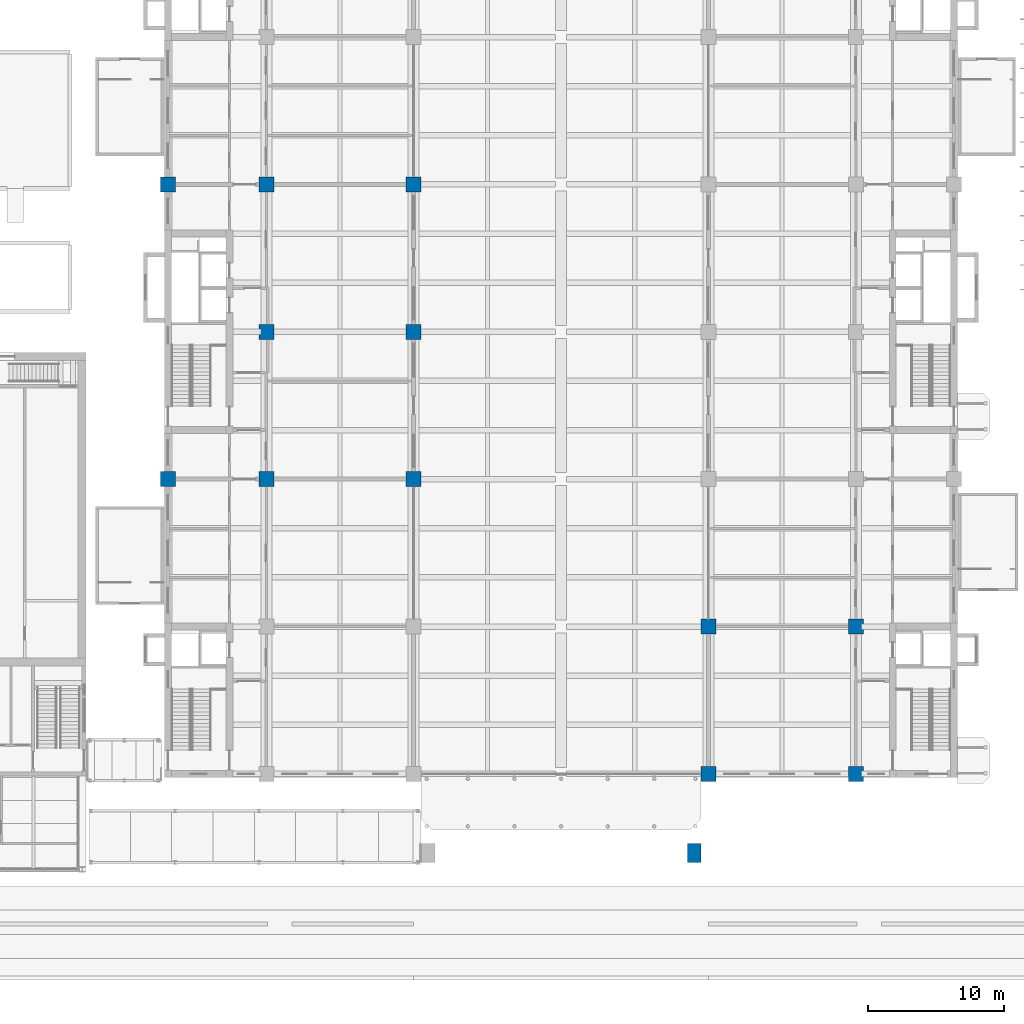
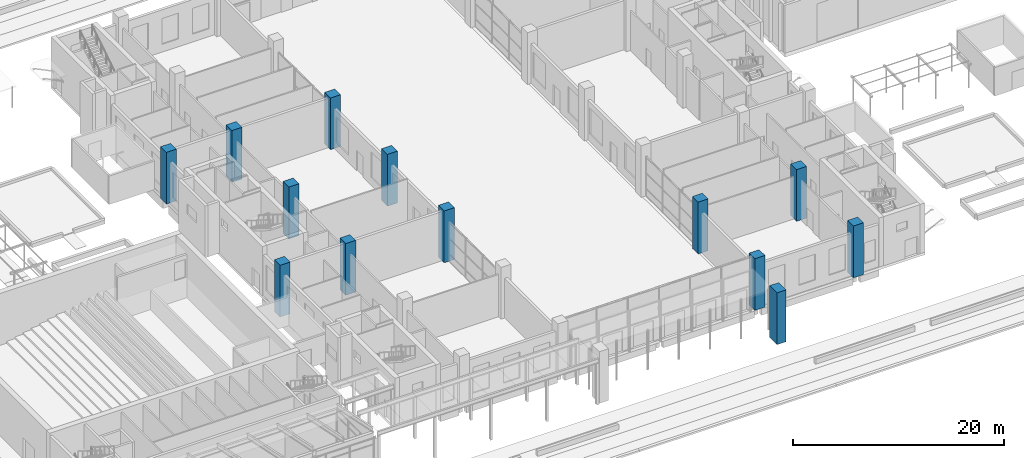
# One storey, part 3 of 71: 13 columns.
"""IFC4 building model written with IfcOpenShell, lengths in metres."""

from ifc_helpers import new_model, si_unit, direction, frame, origin, origin_2d, place, context, subcontext, project, spatial, rectangle, extrude, material, material_profile, profile_set, type_object, element, save


model = new_model("IFC4")

# Units and contexts
model_context = context("Model", 3, precision=1e-05, world=origin(), true_north=direction((0.0, 1.0)))
body_context = subcontext(model_context, "Body", "Model", "MODEL_VIEW")
ifc_project = project(units=[si_unit("LENGTHUNIT", "METRE"), si_unit("AREAUNIT", "SQUARE_METRE"), si_unit("VOLUMEUNIT", "CUBIC_METRE"), si_unit("PLANEANGLEUNIT", "RADIAN"), si_unit("MASSUNIT", "GRAM", prefix="KILO")], contexts=[model_context])

# Site, building, storey
site_placement = place(None, origin())
site = spatial("IfcSite", under=ifc_project, at=site_placement, CompositionType="ELEMENT")
building_placement = place(site_placement, origin())
building = spatial("IfcBuilding", under=site, at=building_placement, Name="Basin Gate Institute", CompositionType="ELEMENT")
storey_placement = place(building_placement, origin())
storey = spatial("IfcBuildingStorey", under=building, at=storey_placement, Name="L00", CompositionType="ELEMENT", Elevation=0.0)

# Columns
ifc_material_1 = material(Name="Concrete 60 MPa", Category="concrete")
ifc_material_profile_1 = material_profile(ifc_material_1, rectangle(XDim=1.10009765625, YDim=1.10009765625, at=origin_2d()), Name="Column C1 1100 x 1100")
ifc_profile_set_1 = profile_set([ifc_material_profile_1], Name="Concrete 60 MPa")
column_type_1 = type_object("IfcColumnType", Name="Column C1 R180", PredefinedType="COLUMN", material=ifc_profile_set_1)
for number, where, z_axis, x_axis, name in (
    (1, (61.199951171875, 56.699951171875, 0.0), (0.0, 0.0, 1.0), (1.0, 0.0, 0.0), "COL/L00/4C"),
    (2, (61.199951171875, 78.300048828125, 0.0), (0.0, 0.0, 1.0), (1.0, 0.0, 0.0), "COL/L00/4E"),
    (3, (68.39990234375, 56.699951171875, 0.0), (0.0, 0.0, 1.0), (1.0, 0.0, 0.0), "COL/L00/5C"),
    (4, (68.39990234375, 67.5, 0.0), (0.0, 0.0, 1.0), (1.0, 0.0, 0.0), "COL/L00/5D"),
    (5, (68.39990234375, 78.300048828125, 0.0), (0.0, 0.0, 1.0), (1.0, 0.0, 0.0), "COL/L00/5E"),
    (6, (79.199951171875, 56.699951171875, 0.0), (0.0, 0.0, 1.0), (1.0, 0.0, 0.0), "COL/L00/6C"),
    (7, (79.199951171875, 67.5, 0.0), (0.0, 0.0, 1.0), (1.0, 0.0, 0.0), "COL/L00/6D"),
    (8, (79.199951171875, 78.300048828125, 0.0), (0.0, 0.0, 1.0), (1.0, 0.0, 0.0), "COL/L00/6E"),
    (9, (111.60009765625, 35.10009765625, 0.0), (0.0, 0.0, 1.0), (1.0, 0.0, 0.0), "COL/L00/8A"),
    (10, (111.60009765625, 45.89990234375, 0.0), (0.0, 0.0, 1.0), (1.0, 0.0, 0.0), "COL/L00/8B"),
    (11, (100.800048828125, 35.10009765625, 0.0), (0.0, 0.0, 1.0), (1.0, 0.0, 0.0), "COL/L00/7A"),
    (12, (100.800048828125, 45.89990234375, 0.0), (0.0, 0.0, 1.0), (1.0, 0.0, 0.0), "COL/L00/7B"),
):
    element("IfcColumn", number, at=place(storey_placement, frame(where, z_axis=z_axis, x_axis=x_axis)), inside=storey, type_object=column_type_1, material=ifc_profile_set_1, Name=name, PredefinedType="COLUMN", context=body_context, shape_type="SweptSolid", body=[
        extrude(rectangle(XDim=1.10009765625, YDim=1.10009765625, at=origin_2d()), origin(), (0.0, 0.0, 1.0), 6.0),
    ])
ifc_material_2 = material(Name="Concrete 40 MPa", Category="concrete")
ifc_material_profile_2 = material_profile(ifc_material_2, rectangle(XDim=1.0, YDim=1.39990234375, at=origin_2d()), Name="Shell portal column SC1 1000 x 1400")
ifc_profile_set_2 = profile_set([ifc_material_profile_2], Name="Concrete 40 MPa")
column_type_2 = type_object("IfcColumnType", Name="Shell portal column SC1 R180", PredefinedType="COLUMN", material=ifc_profile_set_2)
column_placement = place(storey_placement, frame((99.75, 29.300048828125, 0.0), z_axis=(0.0, 0.0, 1.0), x_axis=(1.0, 0.0, 0.0)))
element("IfcColumn", 13, at=column_placement, inside=storey, type_object=column_type_2, material=ifc_profile_set_2, Name="Atrium shell portal column R180 SE L00", PredefinedType="COLUMN", context=body_context, shape_type="SweptSolid", body=[
    extrude(rectangle(XDim=1.0, YDim=1.39990234375, at=origin_2d()), origin(), (0.0, 0.0, 1.0), 6.0),
])

save(model, "model.ifc")
